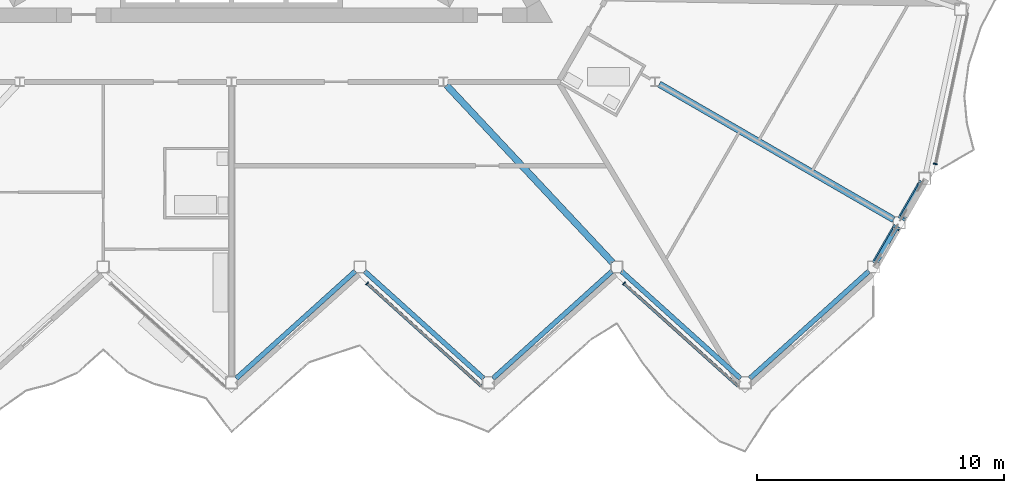
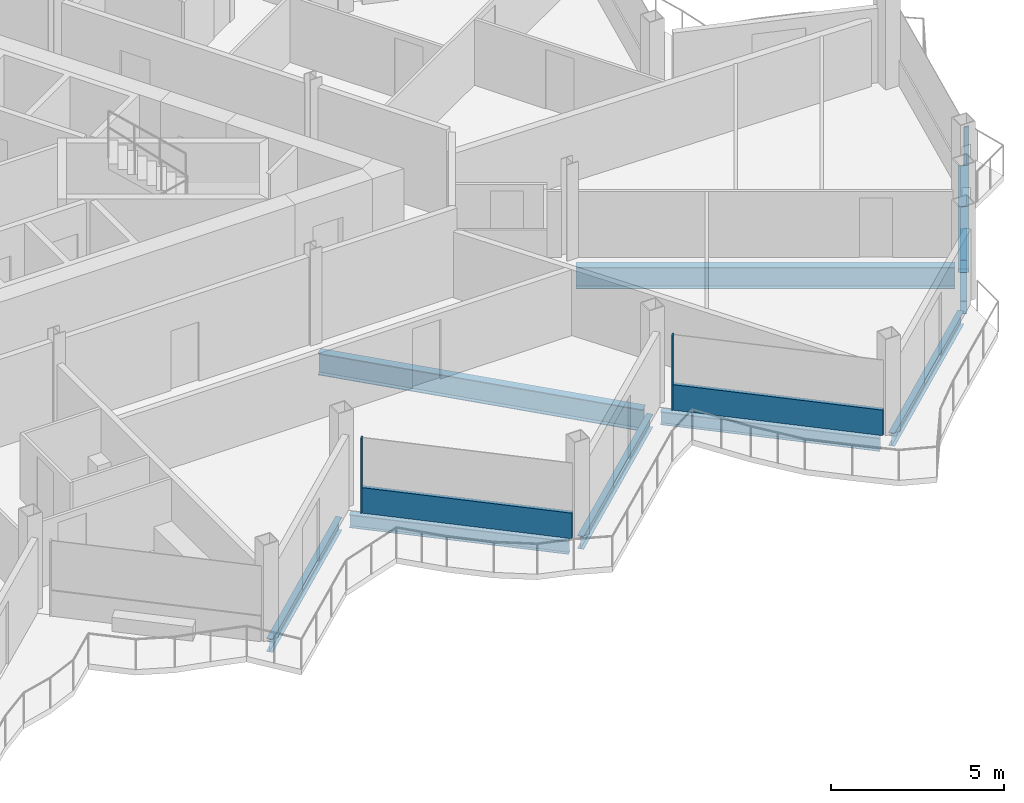
# One storey, part 7 of 26: 9 beams, 7 members, 3 elements without a shape of their own.
"""IFC4 building model written with IfcOpenShell, lengths in metres."""

from ifc_helpers import new_model, si_unit, direction, frame, origin, origin_2d, place, context, subcontext, project, spatial, rectangle, hollow_rectangle, i_section, extrude, material, layer, layer_set, material_profile, profile_set, type_object, element, aggregate, save


model = new_model("IFC4")

# Units and contexts
model_context = context("Model", 3, precision=1e-05, world=origin(), true_north=direction((0.0, 1.0)))
body_context = subcontext(model_context, "Body", "Model", "MODEL_VIEW")
ifc_project = project(units=[si_unit("LENGTHUNIT", "METRE"), si_unit("AREAUNIT", "SQUARE_METRE"), si_unit("VOLUMEUNIT", "CUBIC_METRE"), si_unit("PLANEANGLEUNIT", "RADIAN"), si_unit("MASSUNIT", "GRAM", prefix="KILO")], contexts=[model_context])

# Site, building, storey
site_placement = place(None, origin())
site = spatial("IfcSite", under=ifc_project, at=site_placement, CompositionType="ELEMENT")
building_placement = place(site_placement, origin())
building = spatial("IfcBuilding", under=site, at=building_placement, Name="Cormorant Prow Tower", CompositionType="ELEMENT")
storey_placement = place(building_placement, frame((0.0, 0.0, 388.199951171875)))
storey = spatial("IfcBuildingStorey", under=building, at=storey_placement, Name="L88", CompositionType="ELEMENT", Elevation=388.199951171875)

# Members
ifc_material_1 = material(Name="Structural steel ASTM A500 Gr C", Category="steel")
ifc_material_profile_1 = material_profile(ifc_material_1, hollow_rectangle(XDim=0.3046875, YDim=0.3046875, WallThickness=0.01171875, at=origin_2d()), Name="HSS12x12x1/2")
ifc_profile_set_1 = profile_set([ifc_material_profile_1], Name="Structural steel ASTM A500 Gr C")
member_type_1 = type_object("IfcMemberType", Name="Chamfer brace HSS12x12x1/2", PredefinedType="BRACE", material=ifc_profile_set_1)
member_1_placement = place(storey_placement, frame((26.123291015625, -17.192138671875, 0.770751953125), z_axis=(0.41132825952, 0.712359043209, 0.568641940485), x_axis=(-0.866000359435, 0.500043375578, 0.0)))
element("IfcMember", 1, at=member_1_placement, inside=storey, type_object=member_type_1, Name="Chamfer brace BR3 at ESE00 L88", PredefinedType="BRACE", context=body_context, shape_type="SweptSolid", body=[
    extrude(hollow_rectangle(XDim=0.3046875, YDim=0.3046875, WallThickness=0.01171875, at=origin_2d()), origin(), (0.0, 0.0, 1.0), 1.92138671875),
])
member_2_placement = place(storey_placement, frame((27.160400390625, -15.39599609375, 0.770751953125), z_axis=(0.411259909174, 0.712333680754, 0.568723143867), x_axis=(-0.866028632512, 0.499994407638, 0.0)))
element("IfcMember", 2, at=member_2_placement, inside=storey, type_object=member_type_1, Name="Chamfer brace BR3 at ESE01 L88", PredefinedType="BRACE", context=body_context, shape_type="SweptSolid", body=[
    extrude(hollow_rectangle(XDim=0.3046875, YDim=0.3046875, WallThickness=0.01171875, at=origin_2d()), origin(), (0.0, 0.0, 1.0), 1.921142578125),
])

# Beams
ifc_material_2 = material(Name="Structural steel ASTM A992 Gr 50", Category="steel")
ifc_material_profile_2 = material_profile(ifc_material_2, i_section(OverallWidth=0.267822265625, OverallDepth=0.77001953125, WebThickness=0.015625, FlangeThickness=0.025390625, at=origin_2d()), Name="W30x132")
ifc_profile_set_2 = profile_set([ifc_material_profile_2], Name="Structural steel ASTM A992 Gr 50")
beam_type_1 = type_object("IfcBeamType", Name="Radial floor beam W30x132", PredefinedType="BEAM", material=ifc_profile_set_2)
beam_1_placement = place(storey_placement, frame((8.706298828125, -10.0419921875, -0.684814453125), z_axis=(0.683430760659, -0.730015339144, 0.0), x_axis=(0.730015339144, 0.683430760659, 0.0)))
element("IfcBeam", 3, at=beam_1_placement, inside=storey, type_object=beam_type_1, Name="Radial floor beam FB3 8 L88", PredefinedType="BEAM", context=body_context, shape_type="SweptSolid", body=[
    extrude(i_section(OverallWidth=0.267822265625, OverallDepth=0.77001953125, WebThickness=0.015625, FlangeThickness=0.025390625, at=origin_2d()), origin(), (0.0, 0.0, 1.0), 9.8369140625),
])
beam_2_placement = place(storey_placement, frame((17.31884765625, -9.9990234375, -0.684814453125), z_axis=(0.866018830095, -0.500011385791, 0.0), x_axis=(0.500011385791, 0.866018830095, 0.0)))
element("IfcBeam", 4, at=beam_2_placement, inside=storey, type_object=beam_type_1, Name="Radial floor beam FB3 9 L88", PredefinedType="BEAM", context=body_context, shape_type="SweptSolid", body=[
    extrude(i_section(OverallWidth=0.267822265625, OverallDepth=0.77001953125, WebThickness=0.015625, FlangeThickness=0.025390625, at=origin_2d()), origin(), (0.0, 0.0, 1.0), 10.971435546875),
])

# Curtain wall, member
ifc_material_3 = material(Name="Aluminium 6063-T6", Category="aluminium")
ifc_layer = layer(ifc_material_3, 0.159912109375)
ifc_layer_set = layer_set([ifc_layer], Name="Aluminium 6063-T6")
curtain_wall_type = type_object("IfcCurtainWallType", Name="Residential unitised curtain wall 160", PredefinedType="NOTDEFINED", material=ifc_layer_set)
curtain_wall_1_placement = place(storey_placement, origin())
curtain_wall_1 = element("IfcCurtainWall", 5, at=curtain_wall_1_placement, inside=storey, type_object=curtain_wall_type, Name="Residential curtain wall S06", PredefinedType="NOTDEFINED")
ifc_material_4 = material(Name="Aluminium 6063-T6", Category="aluminium")
ifc_material_profile_3 = material_profile(ifc_material_4, rectangle(XDim=0.159912109375, YDim=0.050048828125, at=origin_2d()), Name="Residential mullion 50x160")
ifc_profile_set_3 = profile_set([ifc_material_profile_3], Name="Aluminium 6063-T6")
member_type_2 = type_object("IfcMemberType", Name="Residential mullion 50x160", PredefinedType="MULLION", material=ifc_profile_set_3)
member_3_placement = place(storey_placement, frame((5.490478515625, -18.0712890625, 0.0), z_axis=(0.0, 0.0, 1.0), x_axis=(0.669130603959, 0.743144827638, 0.0)))
member_3 = element("IfcMember", 6, at=member_3_placement, type_object=member_type_2, Name="Residential mullion S06", PredefinedType="MULLION", context=body_context, shape_type="SweptSolid", body=[
    extrude(rectangle(XDim=0.159912109375, YDim=0.050048828125, at=origin_2d()), origin(), (0.0, 0.0, 1.0), 2.634033203125),
])

curtain_wall_2_placement = place(storey_placement, origin())
curtain_wall_2 = element("IfcCurtainWall", 7, at=curtain_wall_2_placement, inside=storey, type_object=curtain_wall_type, Name="Residential curtain wall S08", PredefinedType="NOTDEFINED")
member_4_placement = place(storey_placement, frame((15.890625, -18.0712890625, 0.0), z_axis=(0.0, 0.0, 1.0), x_axis=(0.669130603959, 0.743144827638, 0.0)))
member_4 = element("IfcMember", 8, at=member_4_placement, type_object=member_type_2, Name="Residential mullion S08", PredefinedType="MULLION", context=body_context, shape_type="SweptSolid", body=[
    extrude(rectangle(XDim=0.159912109375, YDim=0.050048828125, at=origin_2d()), origin(), (0.0, 0.0, 1.0), 2.634033203125),
])

curtain_wall_3_placement = place(storey_placement, origin())
curtain_wall_3 = element("IfcCurtainWall", 9, at=curtain_wall_3_placement, inside=storey, type_object=curtain_wall_type, Name="Residential curtain wall ENE00", PredefinedType="NOTDEFINED")
member_5_placement = place(storey_placement, frame((28.5048828125, -13.2294921875, 0.0), z_axis=(0.0, 0.0, 1.0), x_axis=(-0.978147615768, 0.207911620089, 0.0)))
member_5 = element("IfcMember", 10, at=member_5_placement, type_object=member_type_2, Name="Residential mullion ENE00", PredefinedType="MULLION", context=body_context, shape_type="SweptSolid", body=[
    extrude(rectangle(XDim=0.159912109375, YDim=0.050048828125, at=origin_2d()), origin(), (0.0, 0.0, 1.0), 2.634033203125),
])
aggregate(curtain_wall_3, [member_5])

# Member
ifc_material_5 = material(Name="Terracotta", Category="masonry")
ifc_material_profile_4 = material_profile(ifc_material_5, rectangle(XDim=0.1201171875, YDim=0.89990234375, at=origin_2d()), Name="Residential terracotta spandrel rail 120x900")
ifc_profile_set_4 = profile_set([ifc_material_profile_4], Name="Terracotta")
member_type_3 = type_object("IfcMemberType", Name="Residential terracotta spandrel rail 120x900", PredefinedType="USERDEFINED", material=ifc_profile_set_4)
member_6_placement = place(storey_placement, frame((5.509033203125, -18.088134765625, 0.449951171875), z_axis=(0.743159360055, -0.669114463723, 0.0), x_axis=(0.669114463723, 0.743159360055, 0.0)))
member_6 = element("IfcMember", 11, at=member_6_placement, type_object=member_type_3, Name="Residential spandrel rail S06", ObjectType="TRANSOM", PredefinedType="USERDEFINED", context=body_context, shape_type="SweptSolid", body=[
    extrude(rectangle(XDim=0.1201171875, YDim=0.89990234375, at=origin_2d()), origin(), (0.0, 0.0, 1.0), 6.21533203125),
])

aggregate(curtain_wall_1, [member_3, member_6])

member_7_placement = place(storey_placement, frame((15.9091796875, -18.088134765625, 0.449951171875), z_axis=(0.743159360055, -0.669114463723, 0.0), x_axis=(0.669114463723, 0.743159360055, 0.0)))
member_7 = element("IfcMember", 12, at=member_7_placement, type_object=member_type_3, Name="Residential spandrel rail S08", ObjectType="TRANSOM", PredefinedType="USERDEFINED", context=body_context, shape_type="SweptSolid", body=[
    extrude(rectangle(XDim=0.1201171875, YDim=0.89990234375, at=origin_2d()), origin(), (0.0, 0.0, 1.0), 6.21533203125),
])

aggregate(curtain_wall_2, [member_4, member_7])

# Beams
ifc_material_6 = material(Name="Structural steel ASTM A992 Gr 50", Category="steel")
ifc_material_profile_5 = material_profile(ifc_material_6, i_section(OverallWidth=0.19287109375, OverallDepth=0.466064453125, WebThickness=0.011474609375, FlangeThickness=0.01904296875, at=origin_2d()), Name="W18x65")
ifc_profile_set_5 = profile_set([ifc_material_profile_5], Name="Structural steel ASTM A992 Gr 50")
beam_type_2 = type_object("IfcBeamType", Name="Spandrel beam W18x65", PredefinedType="SPANDREL", material=ifc_profile_set_5)
for number, where, z_axis, x_axis, name in (
    (13, (0.185791015625, -21.920654296875, -0.532958984375), (0.743131573737, 0.669145323614, 0.0), (-0.669145323614, 0.743131573737, 0.0), "Spandrel beam SB4 S05-S06 L88"),
    (14, (5.3857421875, -17.572998046875, -0.532958984375), (0.743131573737, -0.669145323614, 0.0), (0.669145323614, 0.743131573737, 0.0), "Spandrel beam SB4 S06-S07 L88"),
):
    element("IfcBeam", number, at=place(storey_placement, frame(where, z_axis=z_axis, x_axis=x_axis)), inside=storey, type_object=beam_type_2, Name=name, PredefinedType="SPANDREL", context=body_context, shape_type="SweptSolid", body=[
        extrude(i_section(OverallWidth=0.19287109375, OverallDepth=0.466064453125, WebThickness=0.011474609375, FlangeThickness=0.01904296875, at=origin_2d()), origin(), (0.0, 0.0, 1.0), 6.497314453125),
    ])
beam_3_placement = place(storey_placement, frame((10.585693359375, -21.920654296875, -0.532958984375), z_axis=(0.743148397689, 0.669126638995, 0.0), x_axis=(-0.669126638995, 0.743148397689, 0.0)))
element("IfcBeam", 15, at=beam_3_placement, inside=storey, type_object=beam_type_2, Name="Spandrel beam SB4 S07-S08 L88", PredefinedType="SPANDREL", context=body_context, shape_type="SweptSolid", body=[
    extrude(i_section(OverallWidth=0.19287109375, OverallDepth=0.466064453125, WebThickness=0.011474609375, FlangeThickness=0.01904296875, at=origin_2d()), origin(), (0.0, 0.0, 1.0), 6.49755859375),
])
for number, where, z_axis, x_axis, name in (
    (16, (15.785888671875, -17.572998046875, -0.532958984375), (0.743131573737, -0.669145323614, 0.0), (0.669145323614, 0.743131573737, 0.0), "Spandrel beam SB4 S08-S09 L88"),
    (17, (20.98583984375, -21.920654296875, -0.532958984375), (0.743131573737, 0.669145323614, 0.0), (-0.669145323614, 0.743131573737, 0.0), "Spandrel beam SB4 S09-ESE00 L88"),
):
    element("IfcBeam", number, at=place(storey_placement, frame(where, z_axis=z_axis, x_axis=x_axis)), inside=storey, type_object=beam_type_2, Name=name, PredefinedType="SPANDREL", context=body_context, shape_type="SweptSolid", body=[
        extrude(i_section(OverallWidth=0.19287109375, OverallDepth=0.466064453125, WebThickness=0.011474609375, FlangeThickness=0.01904296875, at=origin_2d()), origin(), (0.0, 0.0, 1.0), 6.497314453125),
    ])
for number, where, z_axis, x_axis, name in (
    (18, (26.125, -17.189208984375, -0.532958984375), (0.499959680857, 0.866048680801, 0.0), (-0.866048680801, 0.499959680857, 0.0), "Spandrel beam SB4 ESE00-ESE01 L88"),
    (19, (27.161865234375, -15.393310546875, -0.532958984375), (0.499959680857, 0.866048680801, 0.0), (-0.866048680801, 0.499959680857, 0.0), "Spandrel beam SB4 ESE01-ENE00 L88"),
):
    element("IfcBeam", number, at=place(storey_placement, frame(where, z_axis=z_axis, x_axis=x_axis)), inside=storey, type_object=beam_type_2, Name=name, PredefinedType="SPANDREL", context=body_context, shape_type="SweptSolid", body=[
        extrude(i_section(OverallWidth=0.19287109375, OverallDepth=0.466064453125, WebThickness=0.011474609375, FlangeThickness=0.01904296875, at=origin_2d()), origin(), (0.0, 0.0, 1.0), 1.573974609375),
    ])

save(model, "model.ifc")
